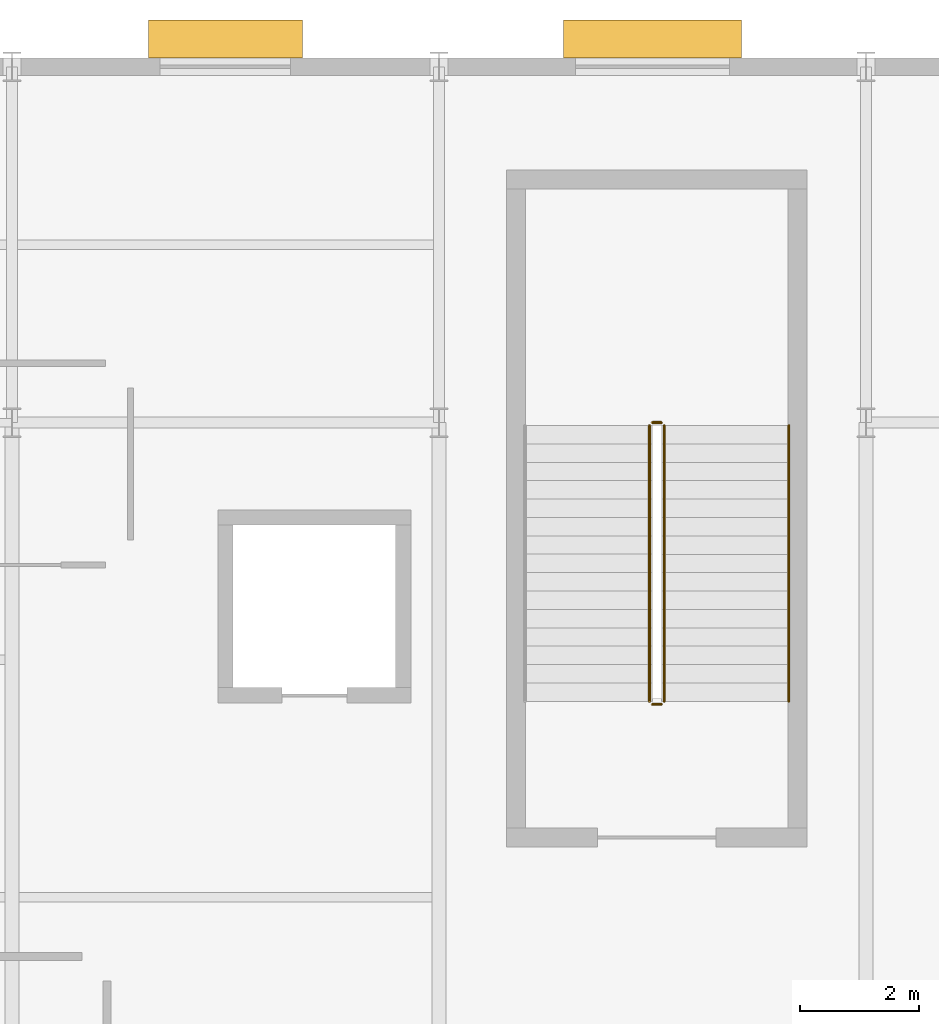
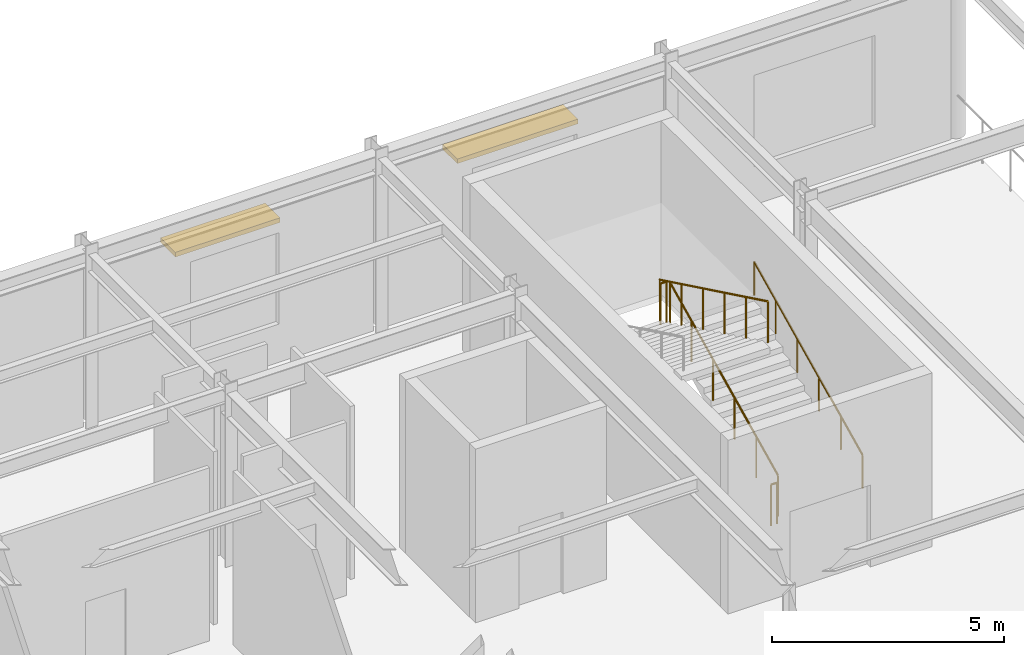
# One storey, part 117 of 121: 5 railings, 2 shading devices.
"""IFC4 building model written with IfcOpenShell, lengths in metres."""

from ifc_helpers import new_model, si_unit, direction, frame, origin, origin_2d, place, context, subcontext, project, spatial, rectangle, circle, extrude, material, type_object, element, save


model = new_model("IFC4")

# Units and contexts
model_context = context("Model", 3, precision=1e-05, world=origin(), true_north=direction((0.0, 1.0)))
body_context = subcontext(model_context, "Body", "Model", "MODEL_VIEW")
ifc_project = project(units=[si_unit("LENGTHUNIT", "METRE"), si_unit("AREAUNIT", "SQUARE_METRE"), si_unit("VOLUMEUNIT", "CUBIC_METRE"), si_unit("PLANEANGLEUNIT", "RADIAN"), si_unit("MASSUNIT", "GRAM", prefix="KILO")], contexts=[model_context])

# Site, building, storey
site_placement = place(None, origin())
site = spatial("IfcSite", under=ifc_project, at=site_placement, CompositionType="ELEMENT")
building_placement = place(site_placement, origin())
building = spatial("IfcBuilding", under=site, at=building_placement, Name="Solvadek Multi-Sports Hall", CompositionType="ELEMENT")
storey_placement = place(building_placement, frame((0.0, 0.0, 4.800048828125)))
storey = spatial("IfcBuildingStorey", under=building, at=storey_placement, Name="L01", CompositionType="ELEMENT", Elevation=4.800048828125)

# Shading devices
ifc_material_1 = material(Name="Perforated champagne-bronze anodised aluminium", Category="aluminium")
shading_device_type = type_object("IfcShadingDeviceType", Name="ENV-SHD-CHAJJA1", PredefinedType="JALOUSIE", material=ifc_material_1)
shading_device_1_placement = place(storey_placement, frame((54.0, 110.869384765625, 3.419921875), z_axis=(0.0, 0.0, 1.0), x_axis=(1.0, 0.0, 0.0)))
element("IfcShadingDevice", 1, at=shading_device_1_placement, inside=storey, type_object=shading_device_type, Name="L01 Chajja Solar Shading Hood #43", PredefinedType="JALOUSIE", context=body_context, shape_type="SweptSolid", body=[
    extrude(rectangle(XDim=2.60009765625, YDim=0.639892578125, at=origin_2d()), origin(), (0.0, 0.0, 1.0), 0.1201171875),
])
shading_device_2_placement = place(storey_placement, frame((61.199951171875, 110.869384765625, 3.419921875), z_axis=(0.0, 0.0, 1.0), x_axis=(1.0, 0.0, 0.0)))
element("IfcShadingDevice", 2, at=shading_device_2_placement, inside=storey, type_object=shading_device_type, Name="L01 Chajja Solar Shading Hood #44", PredefinedType="JALOUSIE", context=body_context, shape_type="SweptSolid", body=[
    extrude(rectangle(XDim=3.0, YDim=0.639892578125, at=origin_2d()), origin(), (0.0, 0.0, 1.0), 0.1201171875),
])

# Railings
ifc_material_2 = material(Name="Steel E250 (250 MPa)", Category="steel")
railing_type_1 = type_object("IfcRailingType", Name="INT-RAL-GRD115", PredefinedType="BALUSTRADE", material=ifc_material_2)
railing_1_placement = place(storey_placement, frame((61.39990234375, 99.699951171875, 0.14990234375)))
element("IfcRailing", 3, at=railing_1_placement, inside=storey, type_object=railing_type_1, Name="L01 ST-03 stair guard 1", PredefinedType="BALUSTRADE", context=body_context, shape_type="SweptSolid", body=[
    extrude(circle(Radius=0.02392578125, at=origin_2d()), frame((0.0, 0.0, 1.076171875), z_axis=(0.0, 0.900164630878, 0.435549810373), x_axis=(-1.0, 0.0, 0.0)), (0.0, 0.0, 1.0), 5.165771484375),
    extrude(circle(Radius=0.02099609375, at=origin_2d()), origin(), (0.0, 0.0, 1.0), 1.052001953125),
    extrude(circle(Radius=0.02099609375, at=origin_2d()), frame((0.0, 0.929931640625, 0.449951171875)), (0.0, 0.0, 1.0), 1.052001953125),
    extrude(circle(Radius=0.02099609375, at=origin_2d()), frame((0.0, 1.860107421875, 0.89990234375)), (0.0, 0.0, 1.0), 1.052001953125),
    extrude(circle(Radius=0.02099609375, at=origin_2d()), frame((0.0, 2.7900390625, 1.35009765625)), (0.0, 0.0, 1.0), 1.052001953125),
    extrude(circle(Radius=0.02099609375, at=origin_2d()), frame((0.0, 3.72021484375, 1.800048828125)), (0.0, 0.0, 1.0), 1.052001953125),
    extrude(circle(Radius=0.02099609375, at=origin_2d()), frame((0.0, 4.650146484375, 2.25)), (0.0, 0.0, 1.0), 1.052001953125),
])
railing_2_placement = place(storey_placement, frame((61.35009765625, 104.39990234375, 2.39990234375)))
element("IfcRailing", 4, at=railing_2_placement, inside=storey, type_object=railing_type_1, Name="L01 ST-03 stair guard 2", PredefinedType="BALUSTRADE", context=body_context, shape_type="SweptSolid", body=[
    extrude(circle(Radius=0.02392578125, at=origin_2d()), frame((0.0, 0.0, 1.076171875), z_axis=(-1.0, 0.0, 0.0), x_axis=(0.0, -1.0, 0.0)), (0.0, 0.0, 1.0), 0.150146484375),
    extrude(circle(Radius=0.02099609375, at=origin_2d()), origin(), (0.0, 0.0, 1.0), 1.052001953125),
    extrude(circle(Radius=0.02099609375, at=origin_2d()), frame((-0.150146484375, 0.0, 0.0)), (0.0, 0.0, 1.0), 1.052001953125),
])
railing_3_placement = place(storey_placement, frame((61.14990234375, 104.35009765625, 2.550048828125)))
element("IfcRailing", 5, at=railing_3_placement, inside=storey, type_object=railing_type_1, Name="L01 ST-03 stair guard 3", PredefinedType="BALUSTRADE", context=body_context, shape_type="SweptSolid", body=[
    extrude(circle(Radius=0.02392578125, at=origin_2d()), frame((0.0, 0.0, 1.076171875), z_axis=(0.0, -0.900164630878, 0.435549810373), x_axis=(1.0, 0.0, 0.0)), (0.0, 0.0, 1.0), 5.165771484375),
    extrude(circle(Radius=0.02099609375, at=origin_2d()), origin(), (0.0, 0.0, 1.0), 1.052001953125),
    extrude(circle(Radius=0.02099609375, at=origin_2d()), frame((0.0, -0.929931640625, 0.449951171875)), (0.0, 0.0, 1.0), 1.052001953125),
    extrude(circle(Radius=0.02099609375, at=origin_2d()), frame((0.0, -1.860107421875, 0.89990234375)), (0.0, 0.0, 1.0), 1.052001953125),
    extrude(circle(Radius=0.02099609375, at=origin_2d()), frame((0.0, -2.7900390625, 1.35009765625)), (0.0, 0.0, 1.0), 1.052001953125),
    extrude(circle(Radius=0.02099609375, at=origin_2d()), frame((0.0, -3.72021484375, 1.800048828125)), (0.0, 0.0, 1.0), 1.052001953125),
    extrude(circle(Radius=0.02099609375, at=origin_2d()), frame((0.0, -4.650146484375, 2.25)), (0.0, 0.0, 1.0), 1.052001953125),
])
railing_4_placement = place(storey_placement, frame((61.35009765625, 99.64990234375, 0.0)))
element("IfcRailing", 6, at=railing_4_placement, inside=storey, type_object=railing_type_1, Name="L01 ST-03 stair guard 4", PredefinedType="BALUSTRADE", context=body_context, shape_type="SweptSolid", body=[
    extrude(circle(Radius=0.02392578125, at=origin_2d()), frame((0.0, 0.0, 1.076171875), z_axis=(-1.0, 0.0, 0.0), x_axis=(0.0, -1.0, 0.0)), (0.0, 0.0, 1.0), 0.150146484375),
    extrude(circle(Radius=0.02099609375, at=origin_2d()), origin(), (0.0, 0.0, 1.0), 1.052001953125),
    extrude(circle(Radius=0.02099609375, at=origin_2d()), frame((-0.150146484375, 0.0, 0.0)), (0.0, 0.0, 1.0), 1.052001953125),
])
railing_type_2 = type_object("IfcRailingType", Name="INT-RAL-HND090", PredefinedType="HANDRAIL", material=ifc_material_2)
railing_5_placement = place(storey_placement, frame((63.5, 99.699951171875, 0.14990234375)))
element("IfcRailing", 7, at=railing_5_placement, inside=storey, type_object=railing_type_2, Name="L01 ST-03 stair handrail 1", PredefinedType="HANDRAIL", context=body_context, shape_type="SweptSolid", body=[
    extrude(circle(Radius=0.02392578125, at=origin_2d()), frame((0.0, 0.0, 0.8759765625), z_axis=(0.0, 0.900164630878, 0.435549810373), x_axis=(-1.0, 0.0, 0.0)), (0.0, 0.0, 1.0), 5.165771484375),
    extrude(circle(Radius=0.02099609375, at=origin_2d()), origin(), (0.0, 0.0, 1.0), 0.851806640625),
    extrude(circle(Radius=0.02099609375, at=origin_2d()), frame((0.0, 0.929931640625, 0.449951171875)), (0.0, 0.0, 1.0), 0.851806640625),
    extrude(circle(Radius=0.02099609375, at=origin_2d()), frame((0.0, 1.860107421875, 0.89990234375)), (0.0, 0.0, 1.0), 0.851806640625),
    extrude(circle(Radius=0.02099609375, at=origin_2d()), frame((0.0, 2.7900390625, 1.35009765625)), (0.0, 0.0, 1.0), 0.851806640625),
    extrude(circle(Radius=0.02099609375, at=origin_2d()), frame((0.0, 3.72021484375, 1.800048828125)), (0.0, 0.0, 1.0), 0.851806640625),
    extrude(circle(Radius=0.02099609375, at=origin_2d()), frame((0.0, 4.650146484375, 2.25)), (0.0, 0.0, 1.0), 0.851806640625),
])

save(model, "model.ifc")
